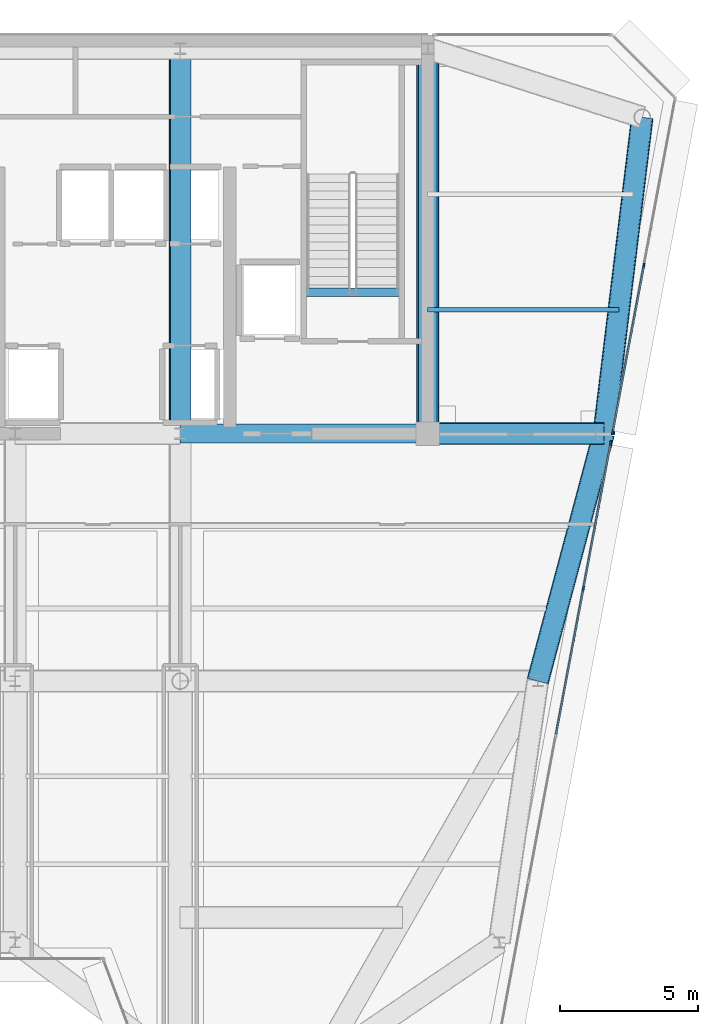
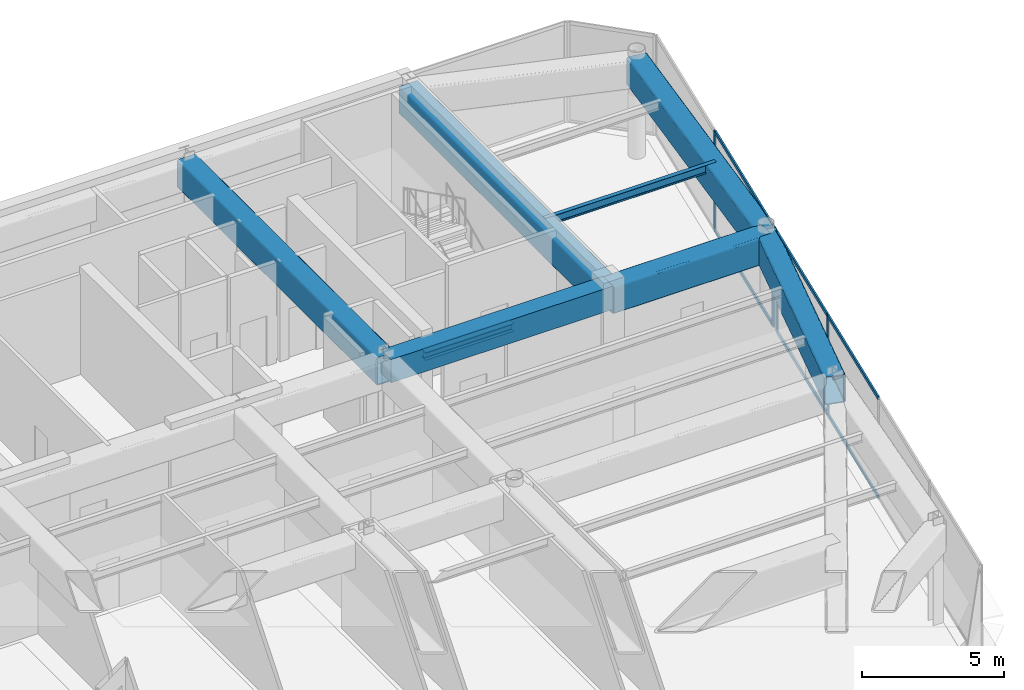
# One storey, part 7 of 20: 10 members, 8 beams, 2 elements without a shape of their own.
"""IFC4 building model written with IfcOpenShell, lengths in metres."""

import ifcopenshell
import ifcopenshell.guid

model = None  # the IFC model being written
_history = None  # IfcOwnerHistory: only IFC2X3 demands one
_inside = {}  # id of a spatial element -> (the spatial element, [elements in it])
_under = {}  # id of a project, library or spatial element -> (it, [spatial elements below it])
_declared = {}  # id of a project -> (the project, [libraries it declares])
_typed = {}  # id of a type object -> (the type object, [elements of that type])
_made_of = {}  # id of a material, layer set ... -> (it, [elements and type objects made of it])


def new_model(schema):
    """Start an empty IFC model of exactly this schema.

    Asked for "IFC4X3", IfcOpenShell would pick the latest addendum, in which some entities
    have other attributes; the version numbers below select the first issue.
    IFC2X3 requires an IfcOwnerHistory on every rooted entity: one is made here for all.
    """
    global model, _history
    if schema == "IFC4X3":
        model = ifcopenshell.file(schema_version=(4, 3, 0, 0))
    else:
        model = ifcopenshell.file(schema=schema)
    _inside.clear()
    _under.clear()
    _declared.clear()
    _typed.clear()
    _made_of.clear()
    _history = None
    if model.schema == "IFC2X3":
        org = make("IfcOrganization", Name="unknown")
        user = make(
            "IfcPersonAndOrganization",
            ThePerson=make("IfcPerson", FamilyName="unknown"),
            TheOrganization=org,
        )
        app = make(
            "IfcApplication",
            ApplicationDeveloper=org,
            Version="unknown",
            ApplicationFullName="unknown",
            ApplicationIdentifier="unknown",
        )
        _history = make(
            "IfcOwnerHistory",
            OwningUser=user,
            OwningApplication=app,
            ChangeAction="ADDED",
            CreationDate=0,
        )
    return model


def make(cls, **values):
    """One entity of the class cls with the attributes given. An attribute that is None is left unset."""
    return model.create_entity(
        cls, **{name: value for name, value in values.items() if value is not None}
    )


def rooted(cls, **values):
    """An entity with a GlobalId (a new one), such as an element, a storey or a relation."""
    return make(cls, GlobalId=ifcopenshell.guid.new(), OwnerHistory=_history, **values)


def si_unit(unit_type, name, prefix=None):
    """IfcSIUnit, for example si_unit("LENGTHUNIT", "METRE", prefix="MILLI")."""
    return make("IfcSIUnit", UnitType=unit_type, Prefix=prefix, Name=name)


def assignment(units):
    """IfcUnitAssignment: the units of a project."""
    return None if units is None else make("IfcUnitAssignment", Units=units)


def point(xyz):
    """IfcCartesianPoint."""
    return None if xyz is None else make("IfcCartesianPoint", Coordinates=xyz)


def direction(xyz):
    """IfcDirection."""
    return None if xyz is None else make("IfcDirection", DirectionRatios=xyz)


def frame(location, z_axis=None, x_axis=None):
    """IfcAxis2Placement3D, a coordinate frame: its origin and axes. An axis left out is left unset."""
    return make(
        "IfcAxis2Placement3D",
        Location=point(location),
        Axis=direction(z_axis),
        RefDirection=direction(x_axis),
    )


def frame_2d(location, x_axis=None):
    """IfcAxis2Placement2D, a coordinate frame in the plane: its origin and x axis."""
    return make(
        "IfcAxis2Placement2D", Location=point(location), RefDirection=direction(x_axis)
    )


def origin():
    """The frame at (0, 0, 0) with its axes left unset."""
    return frame((0.0, 0.0, 0.0))


def origin_2d():
    """The frame at (0, 0) in the plane with its x axis left unset."""
    return frame_2d((0.0, 0.0))


def place(relative_to, where):
    """IfcLocalPlacement: puts the frame where relative to a parent placement (None: the world)."""
    return make(
        "IfcLocalPlacement", PlacementRelTo=relative_to, RelativePlacement=where
    )


def context(
    kind, dimensions, precision=None, world=None, true_north=None, identifier=None
):
    """IfcGeometricRepresentationContext, for example the 3D "Model" context."""
    return make(
        "IfcGeometricRepresentationContext",
        ContextIdentifier=identifier,
        ContextType=kind,
        CoordinateSpaceDimension=dimensions,
        Precision=precision,
        WorldCoordinateSystem=world,
        TrueNorth=true_north,
    )


def subcontext(parent, identifier, kind, view, scale=None):
    """IfcGeometricRepresentationSubContext, for example "Body" below "Model"."""
    return make(
        "IfcGeometricRepresentationSubContext",
        ContextIdentifier=identifier,
        ContextType=kind,
        ParentContext=parent,
        TargetScale=scale,
        TargetView=view,
    )


def project(units=None, contexts=None):
    """IfcProject with its units and contexts."""
    return rooted(
        "IfcProject",
        Name="project",
        RepresentationContexts=contexts,
        UnitsInContext=assignment(units),
    )


def spatial(cls, under=None, at=None, **own):
    """A site, building, storey or space (cls), placed at a placement, below another one or the project."""
    s = rooted(cls, ObjectPlacement=at, **own)
    if under is not None:
        _under.setdefault(under.id(), (under, []))[1].append(s)
    return s


def profile(cls, at=None, kind="AREA", **sizes):
    """A parametric profile (cls). Its sizes go by their IFC names, for example OverallWidth=200.0."""
    return make(cls, ProfileType=kind, Position=at, **sizes)


def rectangle(**sizes):
    """IfcRectangleProfileDef."""
    return profile("IfcRectangleProfileDef", **sizes)


def hollow_rectangle(**sizes):
    """IfcRectangleHollowProfileDef."""
    return profile("IfcRectangleHollowProfileDef", **sizes)


def i_section(**sizes):
    """IfcIShapeProfileDef."""
    return profile("IfcIShapeProfileDef", **sizes)


def extrude(swept, where, along, depth):
    """IfcExtrudedAreaSolid: the profile swept, set in the frame where, extruded along a direction by depth."""
    return make(
        "IfcExtrudedAreaSolid",
        SweptArea=swept,
        Position=where,
        ExtrudedDirection=direction(along),
        Depth=depth,
    )


def shape(context_of_items, identifier, shape_type, items):
    """IfcShapeRepresentation: the items that make up one representation, for example the "Body"."""
    return make(
        "IfcShapeRepresentation",
        ContextOfItems=context_of_items,
        RepresentationIdentifier=identifier,
        RepresentationType=shape_type,
        Items=items,
    )


def source(mapping_origin, context_of_items, identifier, shape_type, items):
    """IfcRepresentationMap: a shape defined once, which mapped items show again and again."""
    return make(
        "IfcRepresentationMap",
        MappingOrigin=mapping_origin,
        MappedRepresentation=shape(context_of_items, identifier, shape_type, items),
    )


def transform(
    local_origin,
    x_axis=None,
    y_axis=None,
    z_axis=None,
    scale=None,
    scale2=None,
    scale3=None,
    uniform=True,
):
    """IfcCartesianTransformationOperator3D, or its non-uniform kind. x_axis, y_axis, z_axis: its Axis1, 2, 3."""
    if uniform:
        return make(
            "IfcCartesianTransformationOperator3D",
            Axis1=direction(x_axis),
            Axis2=direction(y_axis),
            LocalOrigin=point(local_origin),
            Scale=scale,
            Axis3=direction(z_axis),
        )
    return make(
        "IfcCartesianTransformationOperator3DnonUniform",
        Axis1=direction(x_axis),
        Axis2=direction(y_axis),
        LocalOrigin=point(local_origin),
        Scale=scale,
        Axis3=direction(z_axis),
        Scale2=scale2,
        Scale3=scale3,
    )


def mapped(mapping_source, mapping_target):
    """IfcMappedItem: shows the shape of a source again, moved by a transform."""
    return make(
        "IfcMappedItem", MappingSource=mapping_source, MappingTarget=mapping_target
    )


def material(Name=None, Category=None):
    """IfcMaterial."""
    return make("IfcMaterial", Name=Name, Category=Category)


def layer(
    of_material, thickness, ventilated=None, Name=None, Category=None, Priority=None
):
    """IfcMaterialLayer: one layer of a wall or slab, of a material (None: an air gap)."""
    return make(
        "IfcMaterialLayer",
        Material=of_material,
        LayerThickness=thickness,
        IsVentilated=ventilated,
        Name=Name,
        Category=Category,
        Priority=Priority,
    )


def layer_set(layers, Name=None):
    """IfcMaterialLayerSet."""
    return make("IfcMaterialLayerSet", MaterialLayers=layers, LayerSetName=Name)


def material_profile(
    of_material, cross_section, Name=None, Category=None, Priority=None
):
    """IfcMaterialProfile: a cross section and its material."""
    return make(
        "IfcMaterialProfile",
        Name=Name,
        Material=of_material,
        Profile=cross_section,
        Priority=Priority,
        Category=Category,
    )


def profile_set(profiles, Name=None, composite=None):
    """IfcMaterialProfileSet."""
    return make(
        "IfcMaterialProfileSet",
        Name=Name,
        MaterialProfiles=profiles,
        CompositeProfile=composite,
    )


def made_of(thing, what):
    """Note that an element or type object is made of a material, layer set ...; save() writes the relation."""
    if what is not None:
        _made_of.setdefault(what.id(), (what, []))[1].append(thing)
    return thing


def type_object(cls, material=None, **own):
    """A type object (cls), such as IfcWallType, which elements share."""
    return made_of(rooted(cls, **own), material)


def element(
    cls,
    number,
    at=None,
    inside=None,
    cuts=None,
    type_object=None,
    material=None,
    context=None,
    identifier="Body",
    shape_type=None,
    held_by="IfcProductDefinitionShape",
    body=None,
    shapes=None,
    **own,
):
    """One element of the class cls, such as IfcWall. Its Tag is "e" and its number.

    at: its placement. inside: the storey or other place that contains it. cuts: it is an
    opening in that element (IfcRelVoidsElement). A single representation is given by context,
    identifier, shape_type and body (its items); several are given by shapes. held_by: the class
    of the entity that holds the representations. save() writes the other relations.
    """
    e = rooted(cls, Tag="e%d" % number, ObjectPlacement=at, **own)
    if body is not None:
        shapes = [shape(context, identifier, shape_type, body)]
    if shapes is not None:
        e.Representation = make(held_by, Representations=shapes)
    if inside is not None:
        _inside.setdefault(inside.id(), (inside, []))[1].append(e)
    if cuts is not None:
        rooted(
            "IfcRelVoidsElement", RelatingBuildingElement=cuts, RelatedOpeningElement=e
        )
    if type_object is not None:
        _typed.setdefault(type_object.id(), (type_object, []))[1].append(e)
    return made_of(e, material)


def aggregate(whole, parts):
    """IfcRelAggregates: a whole, such as a stair, and the parts it consists of."""
    return rooted("IfcRelAggregates", RelatingObject=whole, RelatedObjects=parts)


def save(model, path):
    """Write the relations noted so far, then the file.

    IfcRelAggregates (storeys below a building ...), IfcRelContainedInSpatialStructure (elements
    in a storey), IfcRelDefinesByType, IfcRelAssociatesMaterial and IfcRelDeclares: one each for
    every whole, place, type object, material and project.
    """
    for whole, parts in _under.values():
        aggregate(whole, parts)
    for where, things in _inside.values():
        rooted(
            "IfcRelContainedInSpatialStructure",
            RelatedElements=things,
            RelatingStructure=where,
        )
    for kind, things in _typed.values():
        rooted("IfcRelDefinesByType", RelatedObjects=things, RelatingType=kind)
    for what, things in _made_of.values():
        rooted("IfcRelAssociatesMaterial", RelatedObjects=things, RelatingMaterial=what)
    for by, libraries in _declared.values():
        rooted("IfcRelDeclares", RelatingContext=by, RelatedDefinitions=libraries)
    model.write(path)


model = new_model("IFC4")

# Units and contexts
model_context = context("Model", 3, precision=1e-05, world=origin(), true_north=direction((0.0, 1.0)))
body_context = subcontext(model_context, "Body", "Model", "MODEL_VIEW")
ifc_project = project(units=[si_unit("LENGTHUNIT", "METRE"), si_unit("AREAUNIT", "SQUARE_METRE"), si_unit("VOLUMEUNIT", "CUBIC_METRE"), si_unit("PLANEANGLEUNIT", "RADIAN"), si_unit("MASSUNIT", "GRAM", prefix="KILO")], contexts=[model_context])

# Site, building, storey
site_placement = place(None, origin())
site = spatial("IfcSite", under=ifc_project, at=site_placement, CompositionType="ELEMENT")
building_placement = place(site_placement, origin())
building = spatial("IfcBuilding", under=site, at=building_placement, Name="Vaeldorn Concourse Tower", CompositionType="ELEMENT")
storey_placement = place(building_placement, frame((0.0, 0.0, 299.199951171875)))
storey = spatial("IfcBuildingStorey", under=building, at=storey_placement, Name="L77", CompositionType="ELEMENT", Elevation=299.199951171875)

# Beams
ifc_material_1 = material(Name="Concrete C50/60", Category="concrete")
ifc_material_profile_1 = material_profile(ifc_material_1, rectangle(XDim=0.699951171875, YDim=1.0, at=origin_2d()), Name="RC 700x1000")
ifc_profile_set_1 = profile_set([ifc_material_profile_1], Name="Concrete C50/60")
beam_type_1 = type_object("IfcBeamType", Name="BM-CB-RC700", PredefinedType="BEAM", material=ifc_profile_set_1)
shared_shape_1 = source(origin(), body_context, "Body", "SweptSolid", [
    extrude(rectangle(XDim=0.699951171875, YDim=1.0, at=origin_2d()), origin(), (0.0, 0.0, 1.0), 9.0),
])
beam_1_placement = place(storey_placement, frame((45.0, 36.5, 3.800048828125), z_axis=(1.0, 0.0, 0.0), x_axis=(0.0, 1.0, 0.0)))
element("IfcBeam", 1, at=beam_1_placement, inside=storey, type_object=beam_type_1, Name="Core Coupling Beam L77-2", PredefinedType="BEAM", context=body_context, shape_type="MappedRepresentation", body=[
    mapped(shared_shape_1, transform((0.0, 0.0, 0.0), scale=1.0)),
])
ifc_material_2 = material(Name="Steel S355", Category="steel")
ifc_material_profile_2 = material_profile(ifc_material_2, i_section(OverallWidth=0.300048828125, OverallDepth=0.340087890625, WebThickness=0.011962890625, FlangeThickness=0.021484375, FilletRadius=0.027099609375, at=origin_2d()), Name="HEB 340")
ifc_profile_set_2 = profile_set([ifc_material_profile_2], Name="Steel S355")
beam_type_2 = type_object("IfcBeamType", Name="BM-ST-TRIM", PredefinedType="BEAM", material=ifc_profile_set_2)
shared_shape_2 = source(origin(), body_context, "Body", "SweptSolid", [
    extrude(i_section(OverallWidth=0.300048828125, OverallDepth=0.340087890625, WebThickness=0.011962890625, FlangeThickness=0.021484375, FilletRadius=0.027099609375, at=origin_2d()), origin(), (0.0, 0.0, 1.0), 3.590087890625),
])
beam_2_placement = place(storey_placement, frame((49.47998046875, 41.639892578125, -0.389892578125), z_axis=(1.0, 0.0, 0.0), x_axis=(0.0, 1.0, 0.0)))
element("IfcBeam", 2, at=beam_2_placement, inside=storey, type_object=beam_type_2, Name="Stair Landing Trimmer Beam ST-2 L77", PredefinedType="BEAM", context=body_context, shape_type="MappedRepresentation", body=[
    mapped(shared_shape_2, transform((0.0, 0.0, 0.0), scale=1.0)),
])
ifc_material_3 = material(Name="Steel S460", Category="steel")
ifc_material_profile_3 = material_profile(ifc_material_3, hollow_rectangle(XDim=0.800048828125, YDim=1.199951171875, WallThickness=0.044921875, InnerFilletRadius=0.044921875, OuterFilletRadius=0.090087890625, at=origin_2d()), Name="RHS 1200x800x45")
ifc_profile_set_3 = profile_set([ifc_material_profile_3], Name="Steel S460")
beam_type_3 = type_object("IfcBeamType", Name="BM-TG-RHS1200", PredefinedType="BEAM", material=ifc_profile_set_3)
shared_shape_3 = source(origin(), body_context, "Body", "SweptSolid", [
    extrude(hollow_rectangle(XDim=0.800048828125, YDim=1.199951171875, WallThickness=0.044921875, InnerFilletRadius=0.044921875, OuterFilletRadius=0.090087890625, at=origin_2d()), origin(), (0.0, 0.0, 1.0), 14.0),
])
for number, where, z_axis, x_axis, name in (
    (3, (45.0, 36.5, 3.699951171875), (0.0, 1.0, 0.0), (-1.0, 0.0, 0.0), "Beam BM-L77-C-FC5-C-HC4"),
    (4, (54.0, 36.5, 3.699951171875), (0.0, 1.0, 0.0), (-1.0, 0.0, 0.0), "Beam BM-L77-C-FC6-C-HC5"),
):
    element("IfcBeam", number, at=place(storey_placement, frame(where, z_axis=z_axis, x_axis=x_axis)), inside=storey, type_object=beam_type_3, Name=name, PredefinedType="BEAM", context=body_context, shape_type="MappedRepresentation", body=[
        mapped(shared_shape_3, transform((0.0, 0.0, 0.0), scale=1.0)),
    ])
shared_shape_4 = source(origin(), body_context, "Body", "SweptSolid", [
    extrude(hollow_rectangle(XDim=0.800048828125, YDim=1.199951171875, WallThickness=0.044921875, InnerFilletRadius=0.044921875, OuterFilletRadius=0.090087890625, at=origin_2d()), origin(), (0.0, 0.0, 1.0), 6.39990234375),
])
beam_3_placement = place(storey_placement, frame((54.0, 36.5, 3.699951171875), z_axis=(1.0, 0.0, 0.0), x_axis=(0.0, 1.0, 0.0)))
element("IfcBeam", 5, at=beam_3_placement, inside=storey, type_object=beam_type_3, Name="Beam BM-L77-C-FC6-C-NE2", PredefinedType="BEAM", context=body_context, shape_type="MappedRepresentation", body=[
    mapped(shared_shape_4, transform((0.0, 0.0, 0.0), scale=1.0)),
])
shared_shape_5 = source(origin(), body_context, "Body", "SweptSolid", [
    extrude(hollow_rectangle(XDim=0.800048828125, YDim=1.199951171875, WallThickness=0.044921875, InnerFilletRadius=0.044921875, OuterFilletRadius=0.090087890625, at=origin_2d()), origin(), (0.0, 0.0, 1.0), 11.5849609375),
])
beam_4_placement = place(storey_placement, frame((61.800048828125, 48.0, 3.699951171875), z_axis=(-0.120859382899, -0.992669637677, 0.0), x_axis=(0.992669637677, -0.120859382899, 0.0)))
element("IfcBeam", 6, at=beam_4_placement, inside=storey, type_object=beam_type_3, Name="Beam BM-L77-C-NE1-C-NE2", PredefinedType="BEAM", context=body_context, shape_type="MappedRepresentation", body=[
    mapped(shared_shape_5, transform((0.0, 0.0, 0.0), scale=1.0)),
])
shared_shape_6 = source(origin(), body_context, "Body", "SweptSolid", [
    extrude(hollow_rectangle(XDim=0.800048828125, YDim=1.199951171875, WallThickness=0.044921875, InnerFilletRadius=0.044921875, OuterFilletRadius=0.090087890625, at=origin_2d()), origin(), (0.0, 0.0, 1.0), 9.314453125),
])
beam_5_placement = place(storey_placement, frame((60.39990234375, 36.5, 3.699951171875), z_axis=(-0.257652862255, -0.966237549763, 0.0), x_axis=(0.966237549763, -0.257652862255, 0.0)))
element("IfcBeam", 7, at=beam_5_placement, inside=storey, type_object=beam_type_3, Name="Beam BM-L77-C-NE2-C-FLE1", PredefinedType="BEAM", context=body_context, shape_type="MappedRepresentation", body=[
    mapped(shared_shape_6, transform((0.0, 0.0, 0.0), scale=1.0)),
])
ifc_material_profile_4 = material_profile(ifc_material_2, i_section(OverallWidth=0.169921875, OverallDepth=0.360107421875, WebThickness=0.008056640625, FlangeThickness=0.0126953125, FilletRadius=0.01806640625, at=origin_2d()), Name="IPE 360")
ifc_profile_set_4 = profile_set([ifc_material_profile_4], Name="Steel S355")
beam_type_4 = type_object("IfcBeamType", Name="BM-JS-IPE360", PredefinedType="JOIST", material=ifc_profile_set_4)
shared_shape_7 = source(origin(), body_context, "Body", "SweptSolid", [
    extrude(i_section(OverallWidth=0.169921875, OverallDepth=0.360107421875, WebThickness=0.008056640625, FlangeThickness=0.0126953125, FilletRadius=0.01806640625, at=origin_2d()), origin(), (0.0, 0.0, 1.0), 6.94775390625),
])
beam_6_placement = place(storey_placement, frame((54.0, 41.0, 4.1201171875), z_axis=(1.0, 0.0, 0.0), x_axis=(0.0, 1.0, 0.0)))
element("IfcBeam", 8, at=beam_6_placement, inside=storey, type_object=beam_type_4, Name="Beam JS-L77-NE-410", PredefinedType="JOIST", context=body_context, shape_type="MappedRepresentation", body=[
    mapped(shared_shape_7, transform((0.0, 0.0, 0.0), scale=1.0)),
])

# Curtain wall, members
ifc_material_4 = material(Name="Anodised Bronze Aluminium", Category="aluminium")
ifc_layer = layer(ifc_material_4, 0.179931640625)
ifc_layer_set = layer_set([ifc_layer], Name="Anodised Bronze Aluminium")
curtain_wall_type = type_object("IfcCurtainWallType", Name="CW-SYS-05", PredefinedType="NOTDEFINED", material=ifc_layer_set)
curtain_wall_1_placement = place(storey_placement, origin())
curtain_wall_1 = element("IfcCurtainWall", 9, at=curtain_wall_1_placement, inside=storey, type_object=curtain_wall_type, Name="Unitised Curtain Wall CW-L77-E07-1", PredefinedType="NOTDEFINED")
ifc_material_profile_5 = material_profile(ifc_material_4, rectangle(XDim=0.06494140625, YDim=0.14990234375, at=origin_2d()), Name="CWT 65x150")
ifc_profile_set_5 = profile_set([ifc_material_profile_5], Name="Anodised Bronze Aluminium")
member_type_1 = type_object("IfcMemberType", Name="CWT-BRONZE-150", PredefinedType="USERDEFINED", material=ifc_profile_set_5)
shared_shape_8 = source(origin(), body_context, "Body", "SweptSolid", [
    extrude(rectangle(XDim=0.06494140625, YDim=0.14990234375, at=origin_2d()), origin(), (0.0, 0.0, 1.0), 5.31640625),
])
member_1_placement = place(storey_placement, frame((59.66259765625, 30.895751953125, 0.032470703125), z_axis=(0.184241399207, 0.982881023735, 0.0), x_axis=(-0.982881023735, 0.184241399207, 0.0)))
member_1 = element("IfcMember", 10, at=member_1_placement, type_object=member_type_1, Name="CW-05 transom 4.1", ObjectType="TRANSOM", PredefinedType="USERDEFINED", context=body_context, shape_type="MappedRepresentation", body=[
    mapped(shared_shape_8, transform((0.0, 0.0, 0.0), scale=1.0)),
])
member_2_placement = place(storey_placement, frame((59.66259765625, 30.895751953125, 4.267578125), z_axis=(0.184241399207, 0.982881023735, 0.0), x_axis=(-0.982881023735, 0.184241399207, 0.0)))
member_2 = element("IfcMember", 11, at=member_2_placement, type_object=member_type_1, Name="CW-05 transom 4.2", ObjectType="TRANSOM", PredefinedType="USERDEFINED", context=body_context, shape_type="MappedRepresentation", body=[
    mapped(shared_shape_8, transform((0.0, 0.0, 0.0), scale=1.0)),
])
shared_shape_9 = source(origin(), body_context, "Body", "SweptSolid", [
    extrude(rectangle(XDim=0.06494140625, YDim=0.14990234375, at=origin_2d()), origin(), (0.0, 0.0, 1.0), 5.348876953125),
])
member_3_placement = place(storey_placement, frame((58.6650390625, 25.574462890625, 0.032470703125), z_axis=(0.184216882988, 0.982885618993, 0.0), x_axis=(-0.982885618993, 0.184216882988, 0.0)))
member_3 = element("IfcMember", 12, at=member_3_placement, type_object=member_type_1, Name="CW-05 transom 3.1", ObjectType="TRANSOM", PredefinedType="USERDEFINED", context=body_context, shape_type="MappedRepresentation", body=[
    mapped(shared_shape_9, transform((0.0, 0.0, 0.0), scale=1.0)),
])
member_4_placement = place(storey_placement, frame((58.6650390625, 25.574462890625, 4.267578125), z_axis=(0.184216882988, 0.982885618993, 0.0), x_axis=(-0.982885618993, 0.184216882988, 0.0)))
member_4 = element("IfcMember", 13, at=member_4_placement, type_object=member_type_1, Name="CW-05 transom 3.2", ObjectType="TRANSOM", PredefinedType="USERDEFINED", context=body_context, shape_type="MappedRepresentation", body=[
    mapped(shared_shape_9, transform((0.0, 0.0, 0.0), scale=1.0)),
])

curtain_wall_2_placement = place(storey_placement, origin())
curtain_wall_2 = element("IfcCurtainWall", 14, at=curtain_wall_2_placement, inside=storey, type_object=curtain_wall_type, Name="Unitised Curtain Wall CW-L77-E07-2", PredefinedType="NOTDEFINED")
shared_shape_10 = source(origin(), body_context, "Body", "SweptSolid", [
    extrude(rectangle(XDim=0.06494140625, YDim=0.14990234375, at=origin_2d()), origin(), (0.0, 0.0, 1.0), 6.103515625),
])
member_5_placement = place(storey_placement, frame((60.72705078125, 36.57421875, 0.032470703125), z_axis=(0.18424023288, 0.982881242363, 0.0), x_axis=(-0.982881242363, 0.18424023288, 0.0)))
member_5 = element("IfcMember", 15, at=member_5_placement, type_object=member_type_1, Name="CW-05 transom 1.1", ObjectType="TRANSOM", PredefinedType="USERDEFINED", context=body_context, shape_type="MappedRepresentation", body=[
    mapped(shared_shape_10, transform((0.0, 0.0, 0.0), scale=1.0)),
])
member_6_placement = place(storey_placement, frame((60.72705078125, 36.57421875, 4.267578125), z_axis=(0.18424023288, 0.982881242363, 0.0), x_axis=(-0.982881242363, 0.18424023288, 0.0)))
member_6 = element("IfcMember", 16, at=member_6_placement, type_object=member_type_1, Name="CW-05 transom 1.2", ObjectType="TRANSOM", PredefinedType="USERDEFINED", context=body_context, shape_type="MappedRepresentation", body=[
    mapped(shared_shape_10, transform((0.0, 0.0, 0.0), scale=1.0)),
])

# Member
ifc_material_profile_6 = material_profile(ifc_material_4, rectangle(XDim=0.06494140625, YDim=0.169921875, at=origin_2d()), Name="CWM 65x170")
ifc_profile_set_6 = profile_set([ifc_material_profile_6], Name="Anodised Bronze Aluminium")
member_type_2 = type_object("IfcMemberType", Name="CWM-BRONZE-170", PredefinedType="MULLION", material=ifc_profile_set_6)
shared_shape_11 = source(origin(), body_context, "Body", "SweptSolid", [
    extrude(rectangle(XDim=0.06494140625, YDim=0.169921875, at=origin_2d()), origin(), (0.0, 0.0, 1.0), 4.300048828125),
])
member_7_placement = place(storey_placement, frame((59.656494140625, 30.86376953125, 0.0), z_axis=(0.0, 0.0, 1.0), x_axis=(-0.982880027444, 0.184246714088, 0.0)))
member_7 = element("IfcMember", 17, at=member_7_placement, type_object=member_type_2, Name="CW-05 mullion 4", PredefinedType="MULLION", context=body_context, shape_type="MappedRepresentation", body=[
    mapped(shared_shape_11, transform((0.0, 0.0, 0.0), scale=1.0)),
])

member_8_placement = place(storey_placement, frame((60.64794921875, 36.153076171875, 0.0), z_axis=(0.0, 0.0, 1.0), x_axis=(-0.982880027444, 0.184246714088, 0.0)))
member_8 = element("IfcMember", 18, at=member_8_placement, type_object=member_type_2, Name="CW-05 mullion 5", PredefinedType="MULLION", context=body_context, shape_type="MappedRepresentation", body=[
    mapped(shared_shape_11, transform((0.0, 0.0, 0.0), scale=1.0)),
])

aggregate(curtain_wall_1, [member_7, member_8, member_3, member_4, member_1, member_2])

member_9_placement = place(storey_placement, frame((60.720947265625, 36.542236328125, 0.0), z_axis=(0.0, 0.0, 1.0), x_axis=(-0.982880218842, 0.184245693053, 0.0)))
member_9 = element("IfcMember", 19, at=member_9_placement, type_object=member_type_2, Name="CW-05 mullion 1", PredefinedType="MULLION", context=body_context, shape_type="MappedRepresentation", body=[
    mapped(shared_shape_11, transform((0.0, 0.0, 0.0), scale=1.0)),
])

member_10_placement = place(storey_placement, frame((61.857421875, 42.605224609375, 0.0), z_axis=(0.0, 0.0, 1.0), x_axis=(-0.982880218842, 0.184245693053, 0.0)))
member_10 = element("IfcMember", 20, at=member_10_placement, type_object=member_type_2, Name="CW-05 mullion 2", PredefinedType="MULLION", context=body_context, shape_type="MappedRepresentation", body=[
    mapped(shared_shape_11, transform((0.0, 0.0, 0.0), scale=1.0)),
])

aggregate(curtain_wall_2, [member_9, member_10, member_5, member_6])

save(model, "model.ifc")
